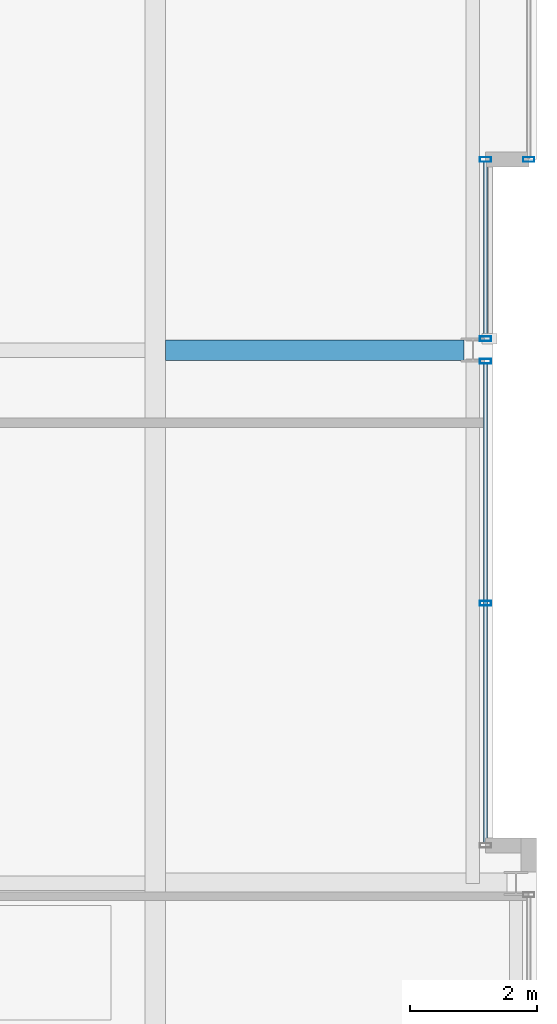
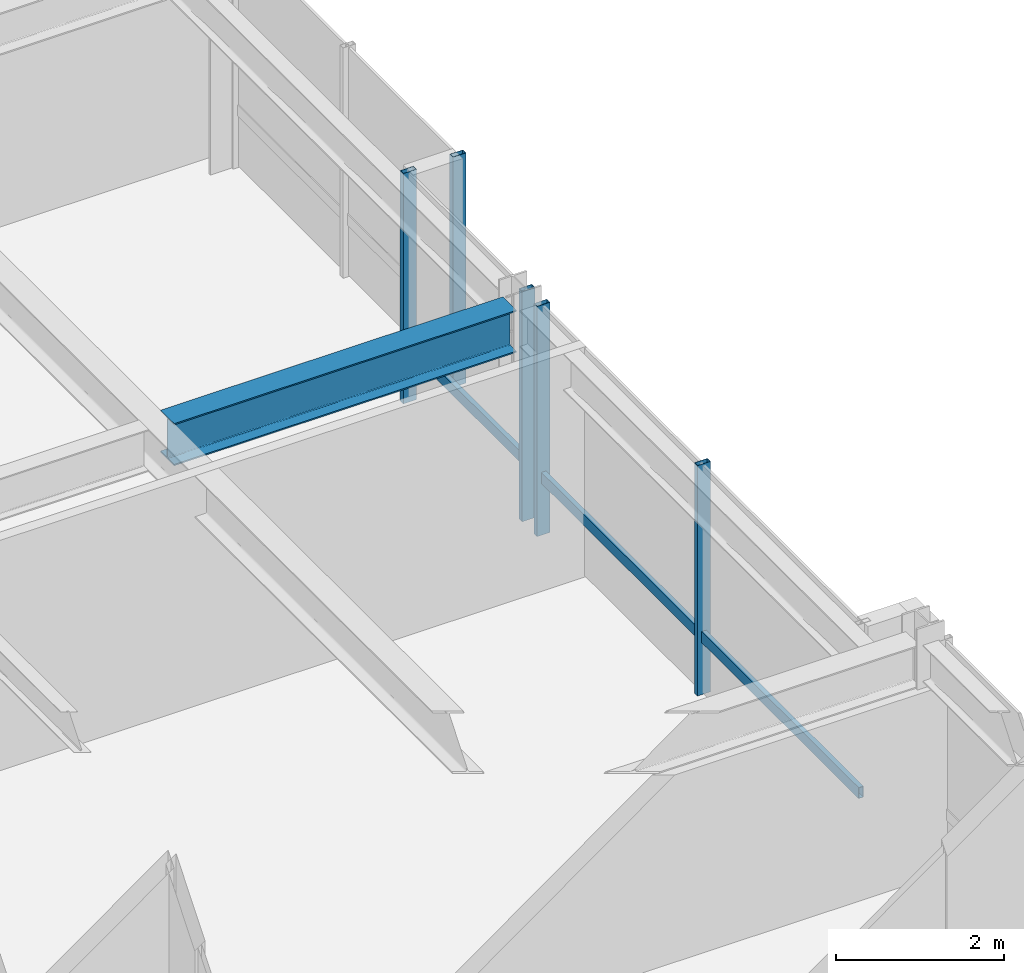
# One storey, part 16 of 32: 7 members, 1 beam, 3 elements without a shape of their own.
"""IFC4 building model written with IfcOpenShell, lengths in metres."""

from ifc_helpers import new_model, si_unit, direction, frame, origin, origin_2d, place, context, subcontext, project, spatial, hollow_rectangle, i_section, extrude, material, layer, layer_set, material_profile, profile_set, type_object, element, aggregate, save


model = new_model("IFC4")

# Units and contexts
model_context = context("Model", 3, precision=1e-05, world=origin(), true_north=direction((0.0, 1.0)))
body_context = subcontext(model_context, "Body", "Model", "MODEL_VIEW")
ifc_project = project(units=[si_unit("LENGTHUNIT", "METRE"), si_unit("AREAUNIT", "SQUARE_METRE"), si_unit("VOLUMEUNIT", "CUBIC_METRE"), si_unit("PLANEANGLEUNIT", "RADIAN"), si_unit("MASSUNIT", "GRAM", prefix="KILO")], contexts=[model_context])

# Site, building, storey
site_placement = place(None, origin())
site = spatial("IfcSite", under=ifc_project, at=site_placement, CompositionType="ELEMENT")
building_placement = place(site_placement, origin())
building = spatial("IfcBuilding", under=site, at=building_placement, Name="Drelvath Grand Hotel", CompositionType="ELEMENT")
storey_placement = place(building_placement, frame((0.0, 0.0, 241.10009765625)))
storey = spatial("IfcBuildingStorey", under=building, at=storey_placement, Name="L63", CompositionType="ELEMENT", Elevation=241.10009765625)

# Curtain wall, member
ifc_material_1 = material(Name="Platinum-Mist Anodised Aluminium Frame", Category="aluminium")
ifc_layer = layer(ifc_material_1, 0.199951171875)
ifc_layer_set = layer_set([ifc_layer], Name="Platinum-Mist Anodised Aluminium Frame")
curtain_wall_type = type_object("IfcCurtainWallType", Name="Stick Curtain Wall CW-05 Platinum Mist High-Rise", PredefinedType="NOTDEFINED", material=ifc_layer_set)
curtain_wall_1_placement = place(storey_placement, origin())
curtain_wall_1 = element("IfcCurtainWall", 1, at=curtain_wall_1_placement, inside=storey, type_object=curtain_wall_type, Name="L63 CW-05 Curtain Wall CW05-L63-EM1", PredefinedType="NOTDEFINED")
ifc_material_profile_1 = material_profile(ifc_material_1, hollow_rectangle(XDim=0.06494140625, YDim=0.159912109375, WallThickness=0.00390625, at=origin_2d()), Name="HSS160X65X4")
ifc_profile_set_1 = profile_set([ifc_material_profile_1], Name="Platinum-Mist Anodised Aluminium Frame")
member_type_1 = type_object("IfcMemberType", Name="Curtain Wall Horizontal Transom CW-05 HSS160X65X4", PredefinedType="USERDEFINED", material=ifc_profile_set_1)
member_1_placement = place(storey_placement, frame((21.39990234375, 26.78173828125, 0.8349609375), z_axis=(0.0, -1.0, 0.0), x_axis=(1.0, 0.0, 0.0)))
member_1 = element("IfcMember", 2, at=member_1_placement, type_object=member_type_1, Name="CW05-L63-EM1 Sill Transom", ObjectType="TRANSOM", PredefinedType="USERDEFINED", context=body_context, shape_type="SweptSolid", body=[
    extrude(hollow_rectangle(XDim=0.06494140625, YDim=0.159912109375, WallThickness=0.00390625, at=origin_2d()), origin(), (0.0, 0.0, 1.0), 7.541748046875),
])

curtain_wall_2_placement = place(storey_placement, origin())
curtain_wall_2 = element("IfcCurtainWall", 3, at=curtain_wall_2_placement, inside=storey, type_object=curtain_wall_type, Name="L63 CW-05 Curtain Wall CW05-L63-EM2", PredefinedType="NOTDEFINED")
member_2_placement = place(storey_placement, frame((21.39990234375, 29.9599609375, 0.8349609375), z_axis=(0.0, -1.0, 0.0), x_axis=(1.0, 0.0, 0.0)))
member_2 = element("IfcMember", 4, at=member_2_placement, type_object=member_type_1, Name="CW05-L63-EM2 Sill Transom", ObjectType="TRANSOM", PredefinedType="USERDEFINED", context=body_context, shape_type="SweptSolid", body=[
    extrude(hollow_rectangle(XDim=0.06494140625, YDim=0.159912109375, WallThickness=0.00390625, at=origin_2d()), origin(), (0.0, 0.0, 1.0), 2.74169921875),
])

curtain_wall_3_placement = place(storey_placement, origin())
curtain_wall_3 = element("IfcCurtainWall", 5, at=curtain_wall_3_placement, inside=storey, type_object=curtain_wall_type, Name="L63 CW-05 Curtain Wall CW05-L63-EN1", PredefinedType="NOTDEFINED")
ifc_material_profile_2 = material_profile(ifc_material_1, hollow_rectangle(XDim=0.074951171875, YDim=0.179931640625, WallThickness=0.0048828125, at=origin_2d()), Name="HSS180X75X5")
ifc_profile_set_2 = profile_set([ifc_material_profile_2], Name="Platinum-Mist Anodised Aluminium Frame")
member_type_2 = type_object("IfcMemberType", Name="Curtain Wall Vertical Mullion CW-05 HSS180X75X5", PredefinedType="MULLION", material=ifc_profile_set_2)
member_3_placement = place(storey_placement, frame((22.080078125, 30.0, 0.0), z_axis=(0.0, 0.0, 1.0), x_axis=(0.0, 1.0, 0.0)))
member_3 = element("IfcMember", 6, at=member_3_placement, type_object=member_type_2, Name="CW05-L63-EN1 Mullion 3", PredefinedType="MULLION", context=body_context, shape_type="SweptSolid", body=[
    extrude(hollow_rectangle(XDim=0.074951171875, YDim=0.179931640625, WallThickness=0.0048828125, at=origin_2d()), origin(), (0.0, 0.0, 1.0), 3.33984375),
])
aggregate(curtain_wall_3, [member_3])

# Member
member_4_placement = place(storey_placement, frame((21.39990234375, 26.82177734375, 0.0), z_axis=(0.0, 0.0, 1.0), x_axis=(0.0, 1.0, 0.0)))
member_4 = element("IfcMember", 7, at=member_4_placement, type_object=member_type_2, Name="CW05-L63-EM1 Mullion 1", PredefinedType="MULLION", context=body_context, shape_type="SweptSolid", body=[
    extrude(hollow_rectangle(XDim=0.074951171875, YDim=0.179931640625, WallThickness=0.0048828125, at=origin_2d()), origin(), (0.0, 0.0, 1.0), 3.33984375),
])

member_5_placement = place(storey_placement, frame((21.39990234375, 23.010986328125, 0.0), z_axis=(0.0, 0.0, 1.0), x_axis=(0.0, 1.0, 0.0)))
member_5 = element("IfcMember", 8, at=member_5_placement, type_object=member_type_2, Name="CW05-L63-EM1 Mullion 2", PredefinedType="MULLION", context=body_context, shape_type="SweptSolid", body=[
    extrude(hollow_rectangle(XDim=0.074951171875, YDim=0.179931640625, WallThickness=0.0048828125, at=origin_2d()), origin(), (0.0, 0.0, 1.0), 3.33984375),
])

aggregate(curtain_wall_1, [member_4, member_5, member_1])

member_6_placement = place(storey_placement, frame((21.39990234375, 30.0, 0.0), z_axis=(0.0, 0.0, 1.0), x_axis=(0.0, 1.0, 0.0)))
member_6 = element("IfcMember", 9, at=member_6_placement, type_object=member_type_2, Name="CW05-L63-EM2 Mullion 1", PredefinedType="MULLION", context=body_context, shape_type="SweptSolid", body=[
    extrude(hollow_rectangle(XDim=0.074951171875, YDim=0.179931640625, WallThickness=0.0048828125, at=origin_2d()), origin(), (0.0, 0.0, 1.0), 3.33984375),
])

member_7_placement = place(storey_placement, frame((21.39990234375, 27.17822265625, 0.0), z_axis=(0.0, 0.0, 1.0), x_axis=(0.0, 1.0, 0.0)))
member_7 = element("IfcMember", 10, at=member_7_placement, type_object=member_type_2, Name="CW05-L63-EM2 Mullion 2", PredefinedType="MULLION", context=body_context, shape_type="SweptSolid", body=[
    extrude(hollow_rectangle(XDim=0.074951171875, YDim=0.179931640625, WallThickness=0.0048828125, at=origin_2d()), origin(), (0.0, 0.0, 1.0), 3.33984375),
])

aggregate(curtain_wall_2, [member_6, member_7, member_2])

# Beam
ifc_material_2 = material(Name="Steel ASTM A992 Gr 50", Category="steel")
ifc_material_profile_3 = material_profile(ifc_material_2, i_section(OverallWidth=0.323974609375, OverallDepth=0.611083984375, WebThickness=0.0126953125, FlangeThickness=0.01904296875, FilletRadius=0.02197265625, at=origin_2d()), Name="W24X104")
ifc_profile_set_3 = profile_set([ifc_material_profile_3], Name="Steel ASTM A992 Gr 50")
beam_type = type_object("IfcBeamType", Name="Primary Floor Girder W24X104", PredefinedType="BEAM", material=ifc_profile_set_3)
beam_placement = place(storey_placement, frame((16.362060546875, 27.0, 3.034423828125), z_axis=(1.0, 0.0, 0.0), x_axis=(0.0, 1.0, 0.0)))
element("IfcBeam", 11, at=beam_placement, inside=storey, type_object=beam_type, Name="L63 East Wing Girder E", PredefinedType="BEAM", context=body_context, shape_type="SweptSolid", body=[
    extrude(i_section(OverallWidth=0.323974609375, OverallDepth=0.611083984375, WebThickness=0.0126953125, FlangeThickness=0.01904296875, FilletRadius=0.02197265625, at=origin_2d()), origin(), (0.0, 0.0, 1.0), 4.697998046875),
])

save(model, "model.ifc")
